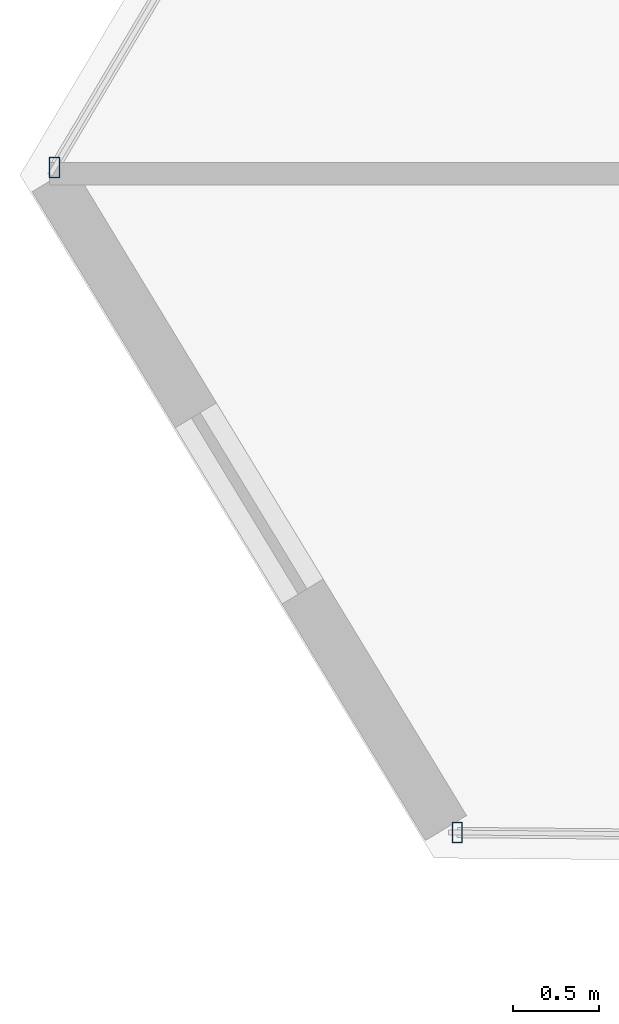
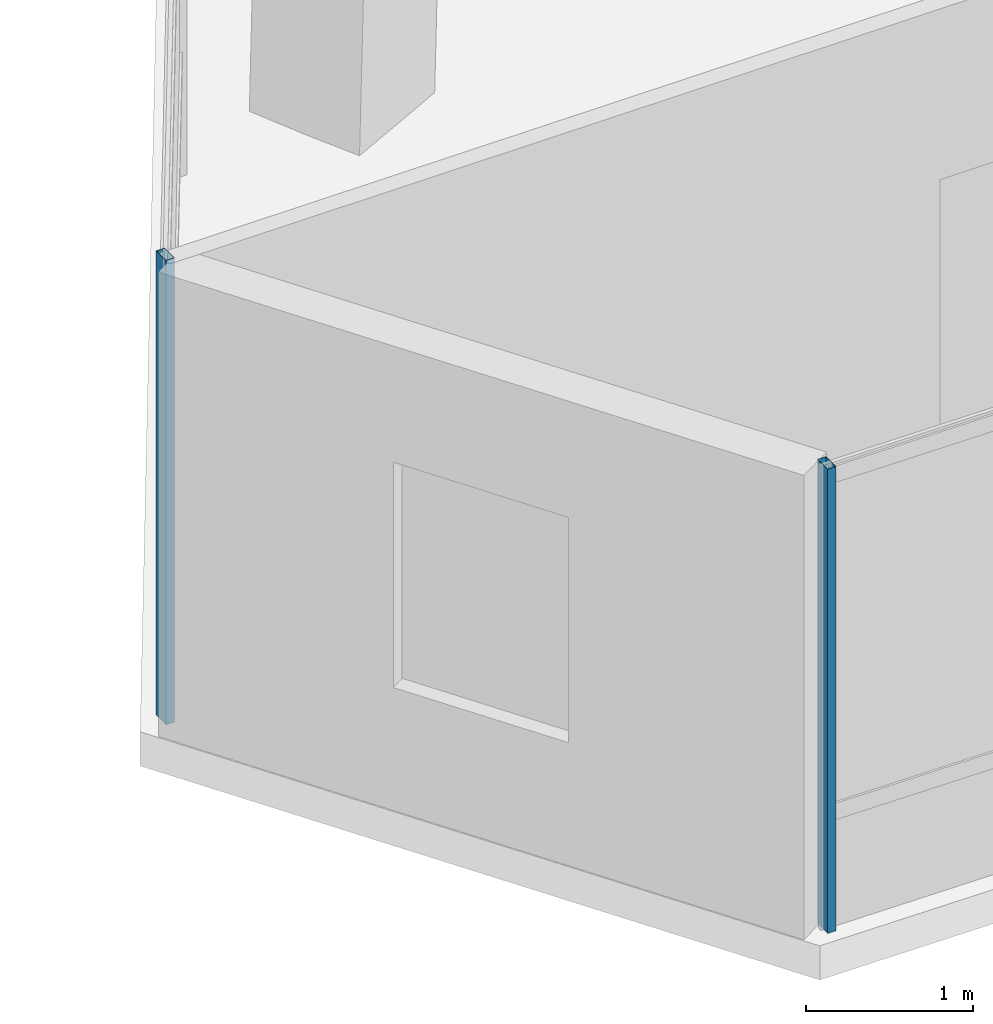
# One storey, part 3 of 47: 2 members, 2 elements without a shape of their own.
"""IFC4 building model written with IfcOpenShell, lengths in metres."""

from ifc_helpers import new_model, si_unit, direction, frame, origin, origin_2d, place, context, subcontext, project, spatial, hollow_rectangle, extrude, source, transform, mapped, material, material_profile, profile_set, type_object, type_shapes, element, aggregate, save


model = new_model("IFC4")

# Units and contexts
model_context = context("Model", 3, precision=1e-05, world=origin(), true_north=direction((0.0, 1.0)))
body_context = subcontext(model_context, "Body", "Model", "MODEL_VIEW")
ifc_project = project(units=[si_unit("LENGTHUNIT", "METRE"), si_unit("AREAUNIT", "SQUARE_METRE"), si_unit("VOLUMEUNIT", "CUBIC_METRE"), si_unit("PLANEANGLEUNIT", "RADIAN"), si_unit("MASSUNIT", "GRAM", prefix="KILO")], contexts=[model_context])

# Site, building, storey
site_placement = place(None, origin())
site = spatial("IfcSite", under=ifc_project, at=site_placement, CompositionType="ELEMENT")
building_placement = place(site_placement, origin())
building = spatial("IfcBuilding", under=site, at=building_placement, Name="Caelisora Broadcast Tower", CompositionType="ELEMENT")
storey_placement = place(building_placement, frame((0.0, 0.0, 229.85009765625)))
storey = spatial("IfcBuildingStorey", under=building, at=storey_placement, Name="L60", CompositionType="ELEMENT", Elevation=229.85009765625)

# Curtain wall, member
ifc_material_1 = material(Name="Unitised Aluminium and Low-E Glass Curtain Wall", Category="glass")
curtain_wall_type = type_object("IfcCurtainWallType", Name="CW-Z5", PredefinedType="NOTDEFINED", material=ifc_material_1)
curtain_wall_1_placement = place(storey_placement, origin())
curtain_wall_1 = element("IfcCurtainWall", 1, at=curtain_wall_1_placement, inside=storey, type_object=curtain_wall_type, Name="L60 curtain wall CW-Z5", PredefinedType="NOTDEFINED")
ifc_material_2 = material(Name="Aluminium 6063-T6 Anodised Terracotta Bronze", Category="aluminium")
ifc_material_profile = material_profile(ifc_material_2, hollow_rectangle(XDim=0.06005859375, YDim=0.1201171875, WallThickness=0.0029296875, at=origin_2d()), Name="Aluminium 6063-T6 Anodised Terracotta Bronze")
ifc_profile_set = profile_set([ifc_material_profile], Name="Aluminium 6063-T6 Anodised Terracotta Bronze")
member_type = type_object("IfcMemberType", Name="CWM-04", PredefinedType="MULLION", material=ifc_profile_set)
shared_shape = source(origin(), body_context, "Body", "SweptSolid", [
    extrude(hollow_rectangle(XDim=0.06005859375, YDim=0.1201171875, WallThickness=0.0029296875, at=origin_2d()), origin(), (0.0, 0.0, 1.0), 3.39990234375),
])
type_shapes(member_type, [shared_shape])
member_1_placement = place(storey_placement, frame((14.37109375, 7.64453125, 0.0), z_axis=(0.0, 0.0, 1.0), x_axis=(1.0, 0.0, 0.0)))
member_1 = element("IfcMember", 2, at=member_1_placement, type_object=member_type, Name="L60-CW-B07 mullion #3", PredefinedType="MULLION", context=body_context, shape_type="MappedRepresentation", body=[
    mapped(shared_shape, transform((0.0, 0.0, 0.0), scale=1.0)),
])
aggregate(curtain_wall_1, [member_1])

curtain_wall_2_placement = place(storey_placement, origin())
curtain_wall_2 = element("IfcCurtainWall", 3, at=curtain_wall_2_placement, inside=storey, type_object=curtain_wall_type, Name="L60 curtain wall CW-Z5", PredefinedType="NOTDEFINED")
member_2_placement = place(storey_placement, frame((12.025390625, 11.51708984375, 0.0), z_axis=(0.0, 0.0, 1.0), x_axis=(1.0, 0.0, 0.0)))
member_2 = element("IfcMember", 4, at=member_2_placement, type_object=member_type, Name="L60-CW-B09 mullion #0", PredefinedType="MULLION", context=body_context, shape_type="MappedRepresentation", body=[
    mapped(shared_shape, transform((0.0, 0.0, 0.0), scale=1.0)),
])
aggregate(curtain_wall_2, [member_2])

save(model, "model.ifc")
